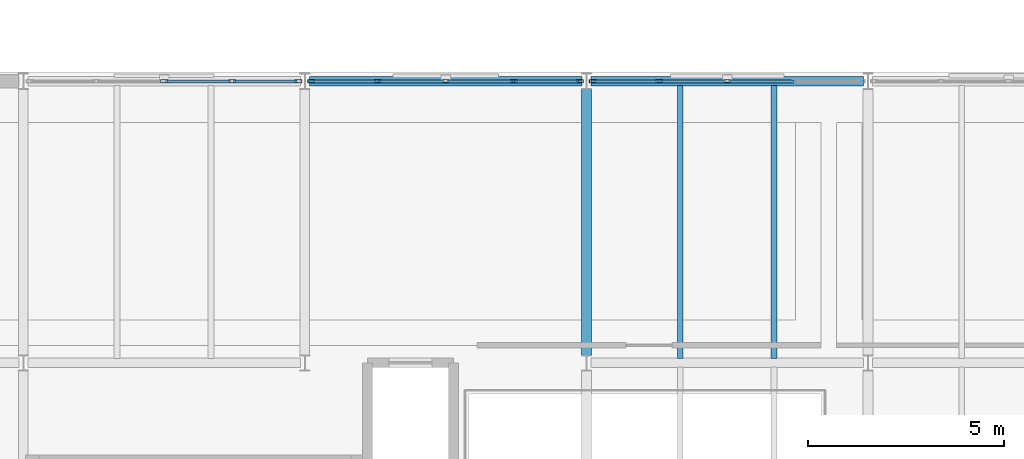
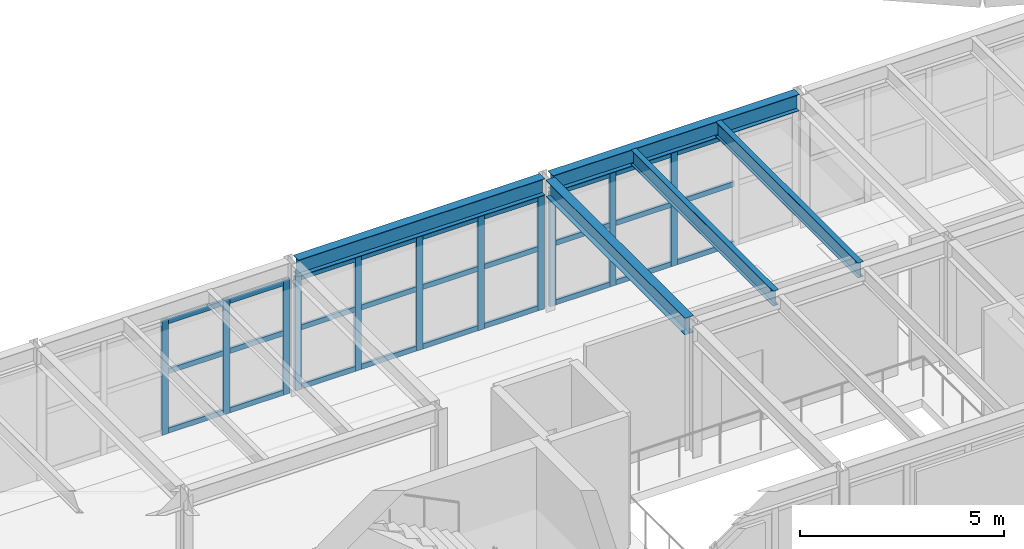
# One storey, part 17 of 37: 38 members, 5 beams, 3 elements without a shape of their own.
"""IFC4 building model written with IfcOpenShell, lengths in metres."""

from ifc_helpers import new_model, si_unit, direction, frame, origin, origin_2d, place, context, subcontext, project, spatial, hollow_rectangle, i_section, extrude, material, layer, layer_set, material_profile, profile_set, type_object, element, aggregate, save


model = new_model("IFC4")

# Units and contexts
model_context = context("Model", 3, precision=1e-05, world=origin(), true_north=direction((0.0, 1.0)))
body_context = subcontext(model_context, "Body", "Model", "MODEL_VIEW")
ifc_project = project(units=[si_unit("LENGTHUNIT", "METRE"), si_unit("AREAUNIT", "SQUARE_METRE"), si_unit("VOLUMEUNIT", "CUBIC_METRE"), si_unit("PLANEANGLEUNIT", "RADIAN"), si_unit("MASSUNIT", "GRAM", prefix="KILO")], contexts=[model_context])

# Site, building, storey
site_placement = place(None, origin())
site = spatial("IfcSite", under=ifc_project, at=site_placement, CompositionType="ELEMENT")
building_placement = place(site_placement, origin())
building = spatial("IfcBuilding", under=site, at=building_placement, Name="Kandorven Conservatory and Botanical Research Centre", CompositionType="ELEMENT")
storey_placement = place(building_placement, frame((0.0, 0.0, 9.0)))
storey = spatial("IfcBuildingStorey", under=building, at=storey_placement, Name="L02", CompositionType="ELEMENT", Elevation=9.0)

# Beams
ifc_material_1 = material(Name="Steel S355 (IS 2062 E350)", Category="steel")
ifc_material_profile_1 = material_profile(ifc_material_1, i_section(OverallWidth=0.25, OverallDepth=0.5, WebThickness=0.010009765625, FlangeThickness=0.0146484375, at=origin_2d()))
ifc_profile_set_1 = profile_set([ifc_material_profile_1], Name="Steel S355 (IS 2062 E350)")
beam_type_1 = type_object("IfcBeamType", Name="Beam_FG-02", PredefinedType="USERDEFINED", material=ifc_profile_set_1)
beam_1_placement = place(storey_placement, frame((56.514892578125, 27.60009765625, 3.7099609375), z_axis=(1.0, 0.0, 0.0), x_axis=(0.0, 1.0, 0.0)))
element("IfcBeam", 1, at=beam_1_placement, inside=storey, type_object=beam_type_1, Name="Primary girder FG-02 VIS L02", ObjectType="GIRDER", PredefinedType="USERDEFINED", context=body_context, shape_type="SweptSolid", body=[
    extrude(i_section(OverallWidth=0.25, OverallDepth=0.5, WebThickness=0.010009765625, FlangeThickness=0.0146484375, at=origin_2d()), origin(), (0.0, 0.0, 1.0), 6.97021484375),
])
beam_2_placement = place(storey_placement, frame((63.715087890625, 27.60009765625, 3.7099609375), z_axis=(1.0, 0.0, 0.0), x_axis=(0.0, 1.0, 0.0)))
element("IfcBeam", 2, at=beam_2_placement, inside=storey, type_object=beam_type_1, Name="Primary girder FG-02 VIS L02", ObjectType="GIRDER", PredefinedType="USERDEFINED", context=body_context, shape_type="SweptSolid", body=[
    extrude(i_section(OverallWidth=0.25, OverallDepth=0.5, WebThickness=0.010009765625, FlangeThickness=0.0146484375, at=origin_2d()), origin(), (0.0, 0.0, 1.0), 6.969970703125),
])
beam_3_placement = place(storey_placement, frame((63.60009765625, 20.590087890625, 3.7099609375), z_axis=(0.0, 1.0, 0.0), x_axis=(-1.0, 0.0, 0.0)))
element("IfcBeam", 3, at=beam_3_placement, inside=storey, type_object=beam_type_1, Name="Primary girder FG-02 VIS L02", ObjectType="GIRDER", PredefinedType="USERDEFINED", context=body_context, shape_type="SweptSolid", body=[
    extrude(i_section(OverallWidth=0.25, OverallDepth=0.5, WebThickness=0.010009765625, FlangeThickness=0.0146484375, at=origin_2d()), origin(), (0.0, 0.0, 1.0), 6.81982421875),
])
ifc_material_2 = material(Name="Steel S355 (IS 2062 E350)", Category="steel")
ifc_material_profile_2 = material_profile(ifc_material_2, i_section(OverallWidth=0.14990234375, OverallDepth=0.449951171875, WebThickness=0.009521484375, FlangeThickness=0.017333984375, at=origin_2d()))
ifc_profile_set_2 = profile_set([ifc_material_profile_2], Name="Steel S355 (IS 2062 E350)")
beam_type_2 = type_object("IfcBeamType", Name="Beam_SB-04", PredefinedType="BEAM", material=ifc_profile_set_2)
for number, where, z_axis, x_axis, name in (
    (4, (66.0, 20.510009765625, 3.735107421875), (0.0, 1.0, 0.0), (-1.0, 0.0, 0.0), "Composite secondary beam SB-04 VIS L02"),
    (5, (68.39990234375, 20.510009765625, 3.735107421875), (0.0, 1.0, 0.0), (-1.0, 0.0, 0.0), "Composite secondary beam SB-04 VIS L02"),
):
    element("IfcBeam", number, at=place(storey_placement, frame(where, z_axis=z_axis, x_axis=x_axis)), inside=storey, type_object=beam_type_2, Name=name, PredefinedType="BEAM", context=body_context, shape_type="SweptSolid", body=[
        extrude(i_section(OverallWidth=0.14990234375, OverallDepth=0.449951171875, WebThickness=0.009521484375, FlangeThickness=0.017333984375, at=origin_2d()), origin(), (0.0, 0.0, 1.0), 6.97998046875),
    ])

# Curtain wall, members
ifc_material_3 = material(Name="Bronze anodised thermally broken aluminium", Category="aluminium")
ifc_layer = layer(ifc_material_3, 0.179931640625)
ifc_layer_set = layer_set([ifc_layer], Name="Bronze anodised thermally broken aluminium")
curtain_wall_type = type_object("IfcCurtainWallType", Name="CW_Unitised", PredefinedType="USERDEFINED", material=ifc_layer_set)
curtain_wall_1_placement = place(storey_placement, origin())
curtain_wall_1 = element("IfcCurtainWall", 6, at=curtain_wall_1_placement, inside=storey, type_object=curtain_wall_type, Name="Visitor wing unitised curtain wall CW-VIS-N-L02-2", ObjectType="UNITISED GLAZING", PredefinedType="USERDEFINED")
ifc_material_4 = material(Name="Bronze anodised thermally broken aluminium", Category="aluminium")
ifc_material_profile_3 = material_profile(ifc_material_4, hollow_rectangle(XDim=0.080078125, YDim=0.179931640625, WallThickness=0.006103515625, at=origin_2d()))
ifc_profile_set_3 = profile_set([ifc_material_profile_3], Name="Bronze anodised thermally broken aluminium")
member_type_1 = type_object("IfcMemberType", Name="CW_Mullion", PredefinedType="MULLION", material=ifc_profile_set_3)
member_1_placement = place(storey_placement, frame((52.800048828125, 27.60009765625, 0.0), z_axis=(0.0, 0.0, 1.0), x_axis=(0.0, 1.0, 0.0)))
member_1 = element("IfcMember", 7, at=member_1_placement, type_object=member_type_1, Name="CW-01 mullion 3", PredefinedType="MULLION", context=body_context, shape_type="SweptSolid", body=[
    extrude(hollow_rectangle(XDim=0.080078125, YDim=0.179931640625, WallThickness=0.006103515625, at=origin_2d()), origin(), (0.0, 0.0, 1.0), 3.419921875),
])
member_2_placement = place(storey_placement, frame((54.53759765625, 27.60009765625, 0.0), z_axis=(0.0, 0.0, 1.0), x_axis=(0.0, 1.0, 0.0)))
member_2 = element("IfcMember", 8, at=member_2_placement, type_object=member_type_1, Name="CW-01 mullion 4", PredefinedType="MULLION", context=body_context, shape_type="SweptSolid", body=[
    extrude(hollow_rectangle(XDim=0.080078125, YDim=0.179931640625, WallThickness=0.006103515625, at=origin_2d()), origin(), (0.0, 0.0, 1.0), 3.419921875),
])
member_3_placement = place(storey_placement, frame((56.235107421875, 27.60009765625, 0.0), z_axis=(0.0, 0.0, 1.0), x_axis=(0.0, 1.0, 0.0)))
member_3 = element("IfcMember", 9, at=member_3_placement, type_object=member_type_1, Name="CW-01 mullion 5", PredefinedType="MULLION", context=body_context, shape_type="SweptSolid", body=[
    extrude(hollow_rectangle(XDim=0.080078125, YDim=0.179931640625, WallThickness=0.006103515625, at=origin_2d()), origin(), (0.0, 0.0, 1.0), 3.419921875),
])

curtain_wall_2_placement = place(storey_placement, origin())
curtain_wall_2 = element("IfcCurtainWall", 10, at=curtain_wall_2_placement, inside=storey, type_object=curtain_wall_type, Name="Visitor wing unitised curtain wall CW-VIS-N-L02-3", ObjectType="UNITISED GLAZING", PredefinedType="USERDEFINED")
member_4_placement = place(storey_placement, frame((56.56494140625, 27.60009765625, 0.0), z_axis=(0.0, 0.0, 1.0), x_axis=(0.0, 1.0, 0.0)))
member_4 = element("IfcMember", 11, at=member_4_placement, type_object=member_type_1, Name="CW-01 mullion 1", PredefinedType="MULLION", context=body_context, shape_type="SweptSolid", body=[
    extrude(hollow_rectangle(XDim=0.080078125, YDim=0.179931640625, WallThickness=0.006103515625, at=origin_2d()), origin(), (0.0, 0.0, 1.0), 3.419921875),
])
member_5_placement = place(storey_placement, frame((58.262451171875, 27.60009765625, 0.0), z_axis=(0.0, 0.0, 1.0), x_axis=(0.0, 1.0, 0.0)))
member_5 = element("IfcMember", 12, at=member_5_placement, type_object=member_type_1, Name="CW-01 mullion 2", PredefinedType="MULLION", context=body_context, shape_type="SweptSolid", body=[
    extrude(hollow_rectangle(XDim=0.080078125, YDim=0.179931640625, WallThickness=0.006103515625, at=origin_2d()), origin(), (0.0, 0.0, 1.0), 3.419921875),
])
member_6_placement = place(storey_placement, frame((60.0, 27.60009765625, 0.0), z_axis=(0.0, 0.0, 1.0), x_axis=(0.0, 1.0, 0.0)))
member_6 = element("IfcMember", 13, at=member_6_placement, type_object=member_type_1, Name="CW-01 mullion 3", PredefinedType="MULLION", context=body_context, shape_type="SweptSolid", body=[
    extrude(hollow_rectangle(XDim=0.080078125, YDim=0.179931640625, WallThickness=0.006103515625, at=origin_2d()), origin(), (0.0, 0.0, 1.0), 3.419921875),
])
member_7_placement = place(storey_placement, frame((61.737548828125, 27.60009765625, 0.0), z_axis=(0.0, 0.0, 1.0), x_axis=(0.0, 1.0, 0.0)))
member_7 = element("IfcMember", 14, at=member_7_placement, type_object=member_type_1, Name="CW-01 mullion 4", PredefinedType="MULLION", context=body_context, shape_type="SweptSolid", body=[
    extrude(hollow_rectangle(XDim=0.080078125, YDim=0.179931640625, WallThickness=0.006103515625, at=origin_2d()), origin(), (0.0, 0.0, 1.0), 3.419921875),
])
member_8_placement = place(storey_placement, frame((63.43505859375, 27.60009765625, 0.0), z_axis=(0.0, 0.0, 1.0), x_axis=(0.0, 1.0, 0.0)))
member_8 = element("IfcMember", 15, at=member_8_placement, type_object=member_type_1, Name="CW-01 mullion 5", PredefinedType="MULLION", context=body_context, shape_type="SweptSolid", body=[
    extrude(hollow_rectangle(XDim=0.080078125, YDim=0.179931640625, WallThickness=0.006103515625, at=origin_2d()), origin(), (0.0, 0.0, 1.0), 3.419921875),
])

curtain_wall_3_placement = place(storey_placement, origin())
curtain_wall_3 = element("IfcCurtainWall", 16, at=curtain_wall_3_placement, inside=storey, type_object=curtain_wall_type, Name="Visitor wing unitised curtain wall CW-VIS-N-L02-4", ObjectType="UNITISED GLAZING", PredefinedType="USERDEFINED")
member_9_placement = place(storey_placement, frame((63.764892578125, 27.60009765625, 0.0), z_axis=(0.0, 0.0, 1.0), x_axis=(0.0, 1.0, 0.0)))
member_9 = element("IfcMember", 17, at=member_9_placement, type_object=member_type_1, Name="CW-01 mullion 1", PredefinedType="MULLION", context=body_context, shape_type="SweptSolid", body=[
    extrude(hollow_rectangle(XDim=0.080078125, YDim=0.179931640625, WallThickness=0.006103515625, at=origin_2d()), origin(), (0.0, 0.0, 1.0), 3.419921875),
])
member_10_placement = place(storey_placement, frame((65.46240234375, 27.60009765625, 0.0), z_axis=(0.0, 0.0, 1.0), x_axis=(0.0, 1.0, 0.0)))
member_10 = element("IfcMember", 18, at=member_10_placement, type_object=member_type_1, Name="CW-01 mullion 2", PredefinedType="MULLION", context=body_context, shape_type="SweptSolid", body=[
    extrude(hollow_rectangle(XDim=0.080078125, YDim=0.179931640625, WallThickness=0.006103515625, at=origin_2d()), origin(), (0.0, 0.0, 1.0), 3.419921875),
])
member_11_placement = place(storey_placement, frame((67.199951171875, 27.60009765625, 0.0), z_axis=(0.0, 0.0, 1.0), x_axis=(0.0, 1.0, 0.0)))
member_11 = element("IfcMember", 19, at=member_11_placement, type_object=member_type_1, Name="CW-01 mullion 3", PredefinedType="MULLION", context=body_context, shape_type="SweptSolid", body=[
    extrude(hollow_rectangle(XDim=0.080078125, YDim=0.179931640625, WallThickness=0.006103515625, at=origin_2d()), origin(), (0.0, 0.0, 1.0), 3.419921875),
])

# Member
ifc_material_5 = material(Name="Bronze anodised thermally broken aluminium", Category="aluminium")
ifc_material_profile_4 = material_profile(ifc_material_5, hollow_rectangle(XDim=0.074951171875, YDim=0.14990234375, WallThickness=0.006103515625, at=origin_2d()))
ifc_profile_set_4 = profile_set([ifc_material_profile_4], Name="Bronze anodised thermally broken aluminium")
member_type_2 = type_object("IfcMemberType", Name="CW_Transom", PredefinedType="USERDEFINED", material=ifc_profile_set_4)
member_12_placement = place(storey_placement, frame((52.840087890625, 27.60009765625, 0.074951171875), z_axis=(1.0, 0.0, 0.0), x_axis=(0.0, 1.0, 0.0)))
member_12 = element("IfcMember", 20, at=member_12_placement, type_object=member_type_2, Name="CW-01 transom 3.1", ObjectType="TRANSOM", PredefinedType="USERDEFINED", context=body_context, shape_type="SweptSolid", body=[
    extrude(hollow_rectangle(XDim=0.074951171875, YDim=0.14990234375, WallThickness=0.006103515625, at=origin_2d()), origin(), (0.0, 0.0, 1.0), 1.657470703125),
])

member_13_placement = place(storey_placement, frame((52.840087890625, 27.60009765625, 1.85009765625), z_axis=(1.0, 0.0, 0.0), x_axis=(0.0, 1.0, 0.0)))
member_13 = element("IfcMember", 21, at=member_13_placement, type_object=member_type_2, Name="CW-01 transom 3.2", ObjectType="TRANSOM", PredefinedType="USERDEFINED", context=body_context, shape_type="SweptSolid", body=[
    extrude(hollow_rectangle(XDim=0.074951171875, YDim=0.14990234375, WallThickness=0.006103515625, at=origin_2d()), origin(), (0.0, 0.0, 1.0), 1.657470703125),
])

member_14_placement = place(storey_placement, frame((52.840087890625, 27.60009765625, 3.344970703125), z_axis=(1.0, 0.0, 0.0), x_axis=(0.0, 1.0, 0.0)))
member_14 = element("IfcMember", 22, at=member_14_placement, type_object=member_type_2, Name="CW-01 transom 3.3", ObjectType="TRANSOM", PredefinedType="USERDEFINED", context=body_context, shape_type="SweptSolid", body=[
    extrude(hollow_rectangle(XDim=0.074951171875, YDim=0.14990234375, WallThickness=0.006103515625, at=origin_2d()), origin(), (0.0, 0.0, 1.0), 1.657470703125),
])

member_15_placement = place(storey_placement, frame((54.577392578125, 27.60009765625, 0.074951171875), z_axis=(1.0, 0.0, 0.0), x_axis=(0.0, 1.0, 0.0)))
member_15 = element("IfcMember", 23, at=member_15_placement, type_object=member_type_2, Name="CW-01 transom 4.1", ObjectType="TRANSOM", PredefinedType="USERDEFINED", context=body_context, shape_type="SweptSolid", body=[
    extrude(hollow_rectangle(XDim=0.074951171875, YDim=0.14990234375, WallThickness=0.006103515625, at=origin_2d()), origin(), (0.0, 0.0, 1.0), 1.61767578125),
])

member_16_placement = place(storey_placement, frame((54.577392578125, 27.60009765625, 1.85009765625), z_axis=(1.0, 0.0, 0.0), x_axis=(0.0, 1.0, 0.0)))
member_16 = element("IfcMember", 24, at=member_16_placement, type_object=member_type_2, Name="CW-01 transom 4.2", ObjectType="TRANSOM", PredefinedType="USERDEFINED", context=body_context, shape_type="SweptSolid", body=[
    extrude(hollow_rectangle(XDim=0.074951171875, YDim=0.14990234375, WallThickness=0.006103515625, at=origin_2d()), origin(), (0.0, 0.0, 1.0), 1.61767578125),
])

member_17_placement = place(storey_placement, frame((54.577392578125, 27.60009765625, 3.344970703125), z_axis=(1.0, 0.0, 0.0), x_axis=(0.0, 1.0, 0.0)))
member_17 = element("IfcMember", 25, at=member_17_placement, type_object=member_type_2, Name="CW-01 transom 4.3", ObjectType="TRANSOM", PredefinedType="USERDEFINED", context=body_context, shape_type="SweptSolid", body=[
    extrude(hollow_rectangle(XDim=0.074951171875, YDim=0.14990234375, WallThickness=0.006103515625, at=origin_2d()), origin(), (0.0, 0.0, 1.0), 1.61767578125),
])

aggregate(curtain_wall_1, [member_1, member_2, member_3, member_12, member_13, member_14, member_15, member_16, member_17])

member_18_placement = place(storey_placement, frame((56.60498046875, 27.60009765625, 0.074951171875), z_axis=(1.0, 0.0, 0.0), x_axis=(0.0, 1.0, 0.0)))
member_18 = element("IfcMember", 26, at=member_18_placement, type_object=member_type_2, Name="CW-01 transom 1.1", ObjectType="TRANSOM", PredefinedType="USERDEFINED", context=body_context, shape_type="SweptSolid", body=[
    extrude(hollow_rectangle(XDim=0.074951171875, YDim=0.14990234375, WallThickness=0.006103515625, at=origin_2d()), origin(), (0.0, 0.0, 1.0), 1.617431640625),
])

member_19_placement = place(storey_placement, frame((56.60498046875, 27.60009765625, 1.85009765625), z_axis=(1.0, 0.0, 0.0), x_axis=(0.0, 1.0, 0.0)))
member_19 = element("IfcMember", 27, at=member_19_placement, type_object=member_type_2, Name="CW-01 transom 1.2", ObjectType="TRANSOM", PredefinedType="USERDEFINED", context=body_context, shape_type="SweptSolid", body=[
    extrude(hollow_rectangle(XDim=0.074951171875, YDim=0.14990234375, WallThickness=0.006103515625, at=origin_2d()), origin(), (0.0, 0.0, 1.0), 1.617431640625),
])

member_20_placement = place(storey_placement, frame((56.60498046875, 27.60009765625, 3.344970703125), z_axis=(1.0, 0.0, 0.0), x_axis=(0.0, 1.0, 0.0)))
member_20 = element("IfcMember", 28, at=member_20_placement, type_object=member_type_2, Name="CW-01 transom 1.3", ObjectType="TRANSOM", PredefinedType="USERDEFINED", context=body_context, shape_type="SweptSolid", body=[
    extrude(hollow_rectangle(XDim=0.074951171875, YDim=0.14990234375, WallThickness=0.006103515625, at=origin_2d()), origin(), (0.0, 0.0, 1.0), 1.617431640625),
])

member_21_placement = place(storey_placement, frame((58.302490234375, 27.60009765625, 0.074951171875), z_axis=(1.0, 0.0, 0.0), x_axis=(0.0, 1.0, 0.0)))
member_21 = element("IfcMember", 29, at=member_21_placement, type_object=member_type_2, Name="CW-01 transom 2.1", ObjectType="TRANSOM", PredefinedType="USERDEFINED", context=body_context, shape_type="SweptSolid", body=[
    extrude(hollow_rectangle(XDim=0.074951171875, YDim=0.14990234375, WallThickness=0.006103515625, at=origin_2d()), origin(), (0.0, 0.0, 1.0), 1.657470703125),
])

member_22_placement = place(storey_placement, frame((58.302490234375, 27.60009765625, 1.85009765625), z_axis=(1.0, 0.0, 0.0), x_axis=(0.0, 1.0, 0.0)))
member_22 = element("IfcMember", 30, at=member_22_placement, type_object=member_type_2, Name="CW-01 transom 2.2", ObjectType="TRANSOM", PredefinedType="USERDEFINED", context=body_context, shape_type="SweptSolid", body=[
    extrude(hollow_rectangle(XDim=0.074951171875, YDim=0.14990234375, WallThickness=0.006103515625, at=origin_2d()), origin(), (0.0, 0.0, 1.0), 1.657470703125),
])

member_23_placement = place(storey_placement, frame((58.302490234375, 27.60009765625, 3.344970703125), z_axis=(1.0, 0.0, 0.0), x_axis=(0.0, 1.0, 0.0)))
member_23 = element("IfcMember", 31, at=member_23_placement, type_object=member_type_2, Name="CW-01 transom 2.3", ObjectType="TRANSOM", PredefinedType="USERDEFINED", context=body_context, shape_type="SweptSolid", body=[
    extrude(hollow_rectangle(XDim=0.074951171875, YDim=0.14990234375, WallThickness=0.006103515625, at=origin_2d()), origin(), (0.0, 0.0, 1.0), 1.657470703125),
])

member_24_placement = place(storey_placement, frame((60.0400390625, 27.60009765625, 0.074951171875), z_axis=(1.0, 0.0, 0.0), x_axis=(0.0, 1.0, 0.0)))
member_24 = element("IfcMember", 32, at=member_24_placement, type_object=member_type_2, Name="CW-01 transom 3.1", ObjectType="TRANSOM", PredefinedType="USERDEFINED", context=body_context, shape_type="SweptSolid", body=[
    extrude(hollow_rectangle(XDim=0.074951171875, YDim=0.14990234375, WallThickness=0.006103515625, at=origin_2d()), origin(), (0.0, 0.0, 1.0), 1.657470703125),
])

member_25_placement = place(storey_placement, frame((60.0400390625, 27.60009765625, 1.85009765625), z_axis=(1.0, 0.0, 0.0), x_axis=(0.0, 1.0, 0.0)))
member_25 = element("IfcMember", 33, at=member_25_placement, type_object=member_type_2, Name="CW-01 transom 3.2", ObjectType="TRANSOM", PredefinedType="USERDEFINED", context=body_context, shape_type="SweptSolid", body=[
    extrude(hollow_rectangle(XDim=0.074951171875, YDim=0.14990234375, WallThickness=0.006103515625, at=origin_2d()), origin(), (0.0, 0.0, 1.0), 1.657470703125),
])

member_26_placement = place(storey_placement, frame((60.0400390625, 27.60009765625, 3.344970703125), z_axis=(1.0, 0.0, 0.0), x_axis=(0.0, 1.0, 0.0)))
member_26 = element("IfcMember", 34, at=member_26_placement, type_object=member_type_2, Name="CW-01 transom 3.3", ObjectType="TRANSOM", PredefinedType="USERDEFINED", context=body_context, shape_type="SweptSolid", body=[
    extrude(hollow_rectangle(XDim=0.074951171875, YDim=0.14990234375, WallThickness=0.006103515625, at=origin_2d()), origin(), (0.0, 0.0, 1.0), 1.657470703125),
])

member_27_placement = place(storey_placement, frame((61.777587890625, 27.60009765625, 0.074951171875), z_axis=(1.0, 0.0, 0.0), x_axis=(0.0, 1.0, 0.0)))
member_27 = element("IfcMember", 35, at=member_27_placement, type_object=member_type_2, Name="CW-01 transom 4.1", ObjectType="TRANSOM", PredefinedType="USERDEFINED", context=body_context, shape_type="SweptSolid", body=[
    extrude(hollow_rectangle(XDim=0.074951171875, YDim=0.14990234375, WallThickness=0.006103515625, at=origin_2d()), origin(), (0.0, 0.0, 1.0), 1.617431640625),
])

member_28_placement = place(storey_placement, frame((61.777587890625, 27.60009765625, 1.85009765625), z_axis=(1.0, 0.0, 0.0), x_axis=(0.0, 1.0, 0.0)))
member_28 = element("IfcMember", 36, at=member_28_placement, type_object=member_type_2, Name="CW-01 transom 4.2", ObjectType="TRANSOM", PredefinedType="USERDEFINED", context=body_context, shape_type="SweptSolid", body=[
    extrude(hollow_rectangle(XDim=0.074951171875, YDim=0.14990234375, WallThickness=0.006103515625, at=origin_2d()), origin(), (0.0, 0.0, 1.0), 1.617431640625),
])

member_29_placement = place(storey_placement, frame((61.777587890625, 27.60009765625, 3.344970703125), z_axis=(1.0, 0.0, 0.0), x_axis=(0.0, 1.0, 0.0)))
member_29 = element("IfcMember", 37, at=member_29_placement, type_object=member_type_2, Name="CW-01 transom 4.3", ObjectType="TRANSOM", PredefinedType="USERDEFINED", context=body_context, shape_type="SweptSolid", body=[
    extrude(hollow_rectangle(XDim=0.074951171875, YDim=0.14990234375, WallThickness=0.006103515625, at=origin_2d()), origin(), (0.0, 0.0, 1.0), 1.617431640625),
])

aggregate(curtain_wall_2, [member_4, member_5, member_6, member_7, member_8, member_18, member_19, member_20, member_21, member_22, member_23, member_24, member_25, member_26, member_27, member_28, member_29])

member_30_placement = place(storey_placement, frame((63.804931640625, 27.60009765625, 0.074951171875), z_axis=(1.0, 0.0, 0.0), x_axis=(0.0, 1.0, 0.0)))
member_30 = element("IfcMember", 38, at=member_30_placement, type_object=member_type_2, Name="CW-01 transom 1.1", ObjectType="TRANSOM", PredefinedType="USERDEFINED", context=body_context, shape_type="SweptSolid", body=[
    extrude(hollow_rectangle(XDim=0.074951171875, YDim=0.14990234375, WallThickness=0.006103515625, at=origin_2d()), origin(), (0.0, 0.0, 1.0), 1.61767578125),
])

member_31_placement = place(storey_placement, frame((63.804931640625, 27.60009765625, 1.85009765625), z_axis=(1.0, 0.0, 0.0), x_axis=(0.0, 1.0, 0.0)))
member_31 = element("IfcMember", 39, at=member_31_placement, type_object=member_type_2, Name="CW-01 transom 1.2", ObjectType="TRANSOM", PredefinedType="USERDEFINED", context=body_context, shape_type="SweptSolid", body=[
    extrude(hollow_rectangle(XDim=0.074951171875, YDim=0.14990234375, WallThickness=0.006103515625, at=origin_2d()), origin(), (0.0, 0.0, 1.0), 1.61767578125),
])

member_32_placement = place(storey_placement, frame((63.804931640625, 27.60009765625, 3.344970703125), z_axis=(1.0, 0.0, 0.0), x_axis=(0.0, 1.0, 0.0)))
member_32 = element("IfcMember", 40, at=member_32_placement, type_object=member_type_2, Name="CW-01 transom 1.3", ObjectType="TRANSOM", PredefinedType="USERDEFINED", context=body_context, shape_type="SweptSolid", body=[
    extrude(hollow_rectangle(XDim=0.074951171875, YDim=0.14990234375, WallThickness=0.006103515625, at=origin_2d()), origin(), (0.0, 0.0, 1.0), 1.61767578125),
])

member_33_placement = place(storey_placement, frame((65.50244140625, 27.60009765625, 0.074951171875), z_axis=(1.0, 0.0, 0.0), x_axis=(0.0, 1.0, 0.0)))
member_33 = element("IfcMember", 41, at=member_33_placement, type_object=member_type_2, Name="CW-01 transom 2.1", ObjectType="TRANSOM", PredefinedType="USERDEFINED", context=body_context, shape_type="SweptSolid", body=[
    extrude(hollow_rectangle(XDim=0.074951171875, YDim=0.14990234375, WallThickness=0.006103515625, at=origin_2d()), origin(), (0.0, 0.0, 1.0), 1.657470703125),
])

member_34_placement = place(storey_placement, frame((65.50244140625, 27.60009765625, 1.85009765625), z_axis=(1.0, 0.0, 0.0), x_axis=(0.0, 1.0, 0.0)))
member_34 = element("IfcMember", 42, at=member_34_placement, type_object=member_type_2, Name="CW-01 transom 2.2", ObjectType="TRANSOM", PredefinedType="USERDEFINED", context=body_context, shape_type="SweptSolid", body=[
    extrude(hollow_rectangle(XDim=0.074951171875, YDim=0.14990234375, WallThickness=0.006103515625, at=origin_2d()), origin(), (0.0, 0.0, 1.0), 1.657470703125),
])

member_35_placement = place(storey_placement, frame((65.50244140625, 27.60009765625, 3.344970703125), z_axis=(1.0, 0.0, 0.0), x_axis=(0.0, 1.0, 0.0)))
member_35 = element("IfcMember", 43, at=member_35_placement, type_object=member_type_2, Name="CW-01 transom 2.3", ObjectType="TRANSOM", PredefinedType="USERDEFINED", context=body_context, shape_type="SweptSolid", body=[
    extrude(hollow_rectangle(XDim=0.074951171875, YDim=0.14990234375, WallThickness=0.006103515625, at=origin_2d()), origin(), (0.0, 0.0, 1.0), 1.657470703125),
])

member_36_placement = place(storey_placement, frame((67.239990234375, 27.60009765625, 0.074951171875), z_axis=(1.0, 0.0, 0.0), x_axis=(0.0, 1.0, 0.0)))
member_36 = element("IfcMember", 44, at=member_36_placement, type_object=member_type_2, Name="CW-01 transom 3.1", ObjectType="TRANSOM", PredefinedType="USERDEFINED", context=body_context, shape_type="SweptSolid", body=[
    extrude(hollow_rectangle(XDim=0.074951171875, YDim=0.14990234375, WallThickness=0.006103515625, at=origin_2d()), origin(), (0.0, 0.0, 1.0), 1.657470703125),
])

member_37_placement = place(storey_placement, frame((67.239990234375, 27.60009765625, 1.85009765625), z_axis=(1.0, 0.0, 0.0), x_axis=(0.0, 1.0, 0.0)))
member_37 = element("IfcMember", 45, at=member_37_placement, type_object=member_type_2, Name="CW-01 transom 3.2", ObjectType="TRANSOM", PredefinedType="USERDEFINED", context=body_context, shape_type="SweptSolid", body=[
    extrude(hollow_rectangle(XDim=0.074951171875, YDim=0.14990234375, WallThickness=0.006103515625, at=origin_2d()), origin(), (0.0, 0.0, 1.0), 1.657470703125),
])

member_38_placement = place(storey_placement, frame((67.239990234375, 27.60009765625, 3.344970703125), z_axis=(1.0, 0.0, 0.0), x_axis=(0.0, 1.0, 0.0)))
member_38 = element("IfcMember", 46, at=member_38_placement, type_object=member_type_2, Name="CW-01 transom 3.3", ObjectType="TRANSOM", PredefinedType="USERDEFINED", context=body_context, shape_type="SweptSolid", body=[
    extrude(hollow_rectangle(XDim=0.074951171875, YDim=0.14990234375, WallThickness=0.006103515625, at=origin_2d()), origin(), (0.0, 0.0, 1.0), 1.657470703125),
])

aggregate(curtain_wall_3, [member_9, member_10, member_11, member_30, member_31, member_32, member_33, member_34, member_35, member_36, member_37, member_38])

save(model, "model.ifc")
